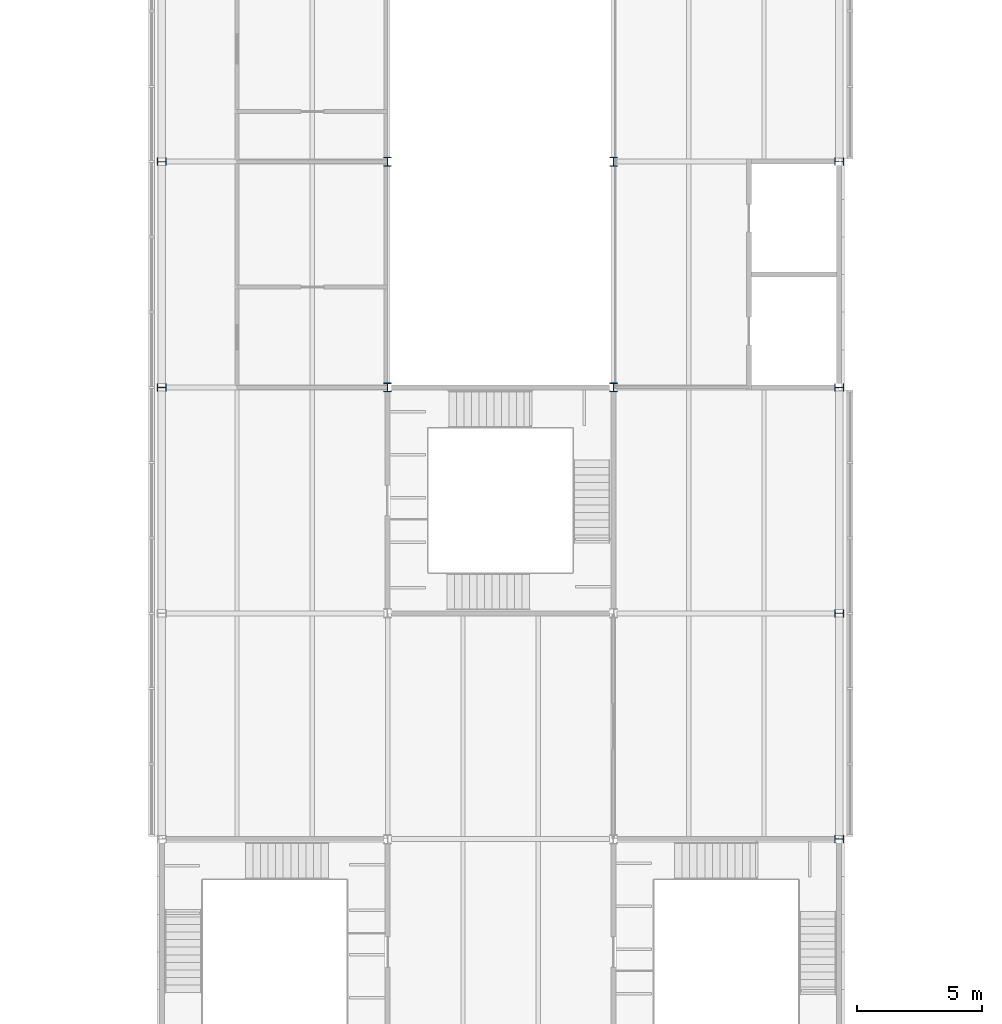
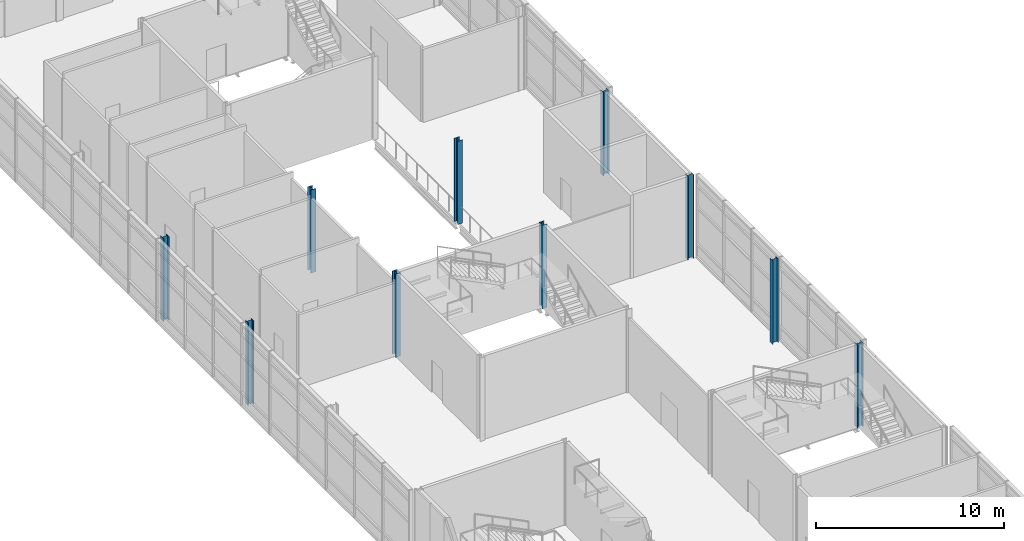
# One storey, part 2 of 52: 10 columns.
"""IFC4 building model written with IfcOpenShell, lengths in metres."""

from ifc_helpers import new_model, si_unit, direction, frame, origin, origin_2d, place, context, subcontext, project, spatial, i_section, extrude, material, material_profile, profile_set, type_object, element, save


model = new_model("IFC4")

# Units and contexts
model_context = context("Model", 3, precision=1e-05, world=origin(), true_north=direction((0.0, 1.0)))
body_context = subcontext(model_context, "Body", "Model", "MODEL_VIEW")
ifc_project = project(units=[si_unit("LENGTHUNIT", "METRE"), si_unit("AREAUNIT", "SQUARE_METRE"), si_unit("VOLUMEUNIT", "CUBIC_METRE"), si_unit("PLANEANGLEUNIT", "RADIAN"), si_unit("MASSUNIT", "GRAM", prefix="KILO")], contexts=[model_context])

# Site, building, storey
site_placement = place(None, origin())
site = spatial("IfcSite", under=ifc_project, at=site_placement, CompositionType="ELEMENT")
building_placement = place(site_placement, origin())
building = spatial("IfcBuilding", under=site, at=building_placement, Name="Azimuth Sports and Learning Centre", CompositionType="ELEMENT")
storey_placement = place(building_placement, frame((0.0, 0.0, 16.199951171875)))
storey = spatial("IfcBuildingStorey", under=building, at=storey_placement, Name="L03", CompositionType="ELEMENT", Elevation=16.199951171875)

# Columns
ifc_material = material(Name="Steel S355", Category="steel")
ifc_material_profile = material_profile(ifc_material, i_section(OverallWidth=0.300048828125, OverallDepth=0.360107421875, WebThickness=0.012451171875, FlangeThickness=0.0224609375, FilletRadius=0.027099609375, at=origin_2d()), Name="HEB 360")
ifc_profile_set = profile_set([ifc_material_profile], Name="Steel S355")
column_type = type_object("IfcColumnType", Name="Column HEB 360", PredefinedType="COLUMN", material=ifc_profile_set)
for number, where, z_axis, x_axis, name in (
    (1, (99.0, 36.0, 0.0), (0.0, 0.0, 1.0), (0.0, 1.0, 0.0), "Column 12E L03"),
    (2, (99.0, 45.0, 0.0), (0.0, 0.0, 1.0), (0.0, 1.0, 0.0), "Column 12F L03"),
    (3, (72.0, 54.0, 0.0), (0.0, 0.0, 1.0), (0.0, 1.0, 0.0), "Column 9G L03"),
    (4, (81.0, 54.0, 0.0), (0.0, 0.0, 1.0), (1.0, 0.0, 0.0), "Column 10G L03"),
    (5, (90.0, 54.0, 0.0), (0.0, 0.0, 1.0), (1.0, 0.0, 0.0), "Column 11G L03"),
    (6, (99.0, 54.0, 0.0), (0.0, 0.0, 1.0), (0.0, 1.0, 0.0), "Column 12G L03"),
    (7, (72.0, 63.0, 0.0), (0.0, 0.0, 1.0), (0.0, 1.0, 0.0), "Column 9H L03"),
    (8, (81.0, 63.0, 0.0), (0.0, 0.0, 1.0), (1.0, 0.0, 0.0), "Column 10H L03"),
    (9, (90.0, 63.0, 0.0), (0.0, 0.0, 1.0), (1.0, 0.0, 0.0), "Column 11H L03"),
    (10, (99.0, 63.0, 0.0), (0.0, 0.0, 1.0), (0.0, 1.0, 0.0), "Column 12H L03"),
):
    element("IfcColumn", number, at=place(storey_placement, frame(where, z_axis=z_axis, x_axis=x_axis)), inside=storey, type_object=column_type, Name=name, PredefinedType="COLUMN", context=body_context, shape_type="SweptSolid", body=[
        extrude(i_section(OverallWidth=0.300048828125, OverallDepth=0.360107421875, WebThickness=0.012451171875, FlangeThickness=0.0224609375, FilletRadius=0.027099609375, at=origin_2d()), origin(), (0.0, 0.0, 1.0), 5.400146484375),
    ])

save(model, "model.ifc")
